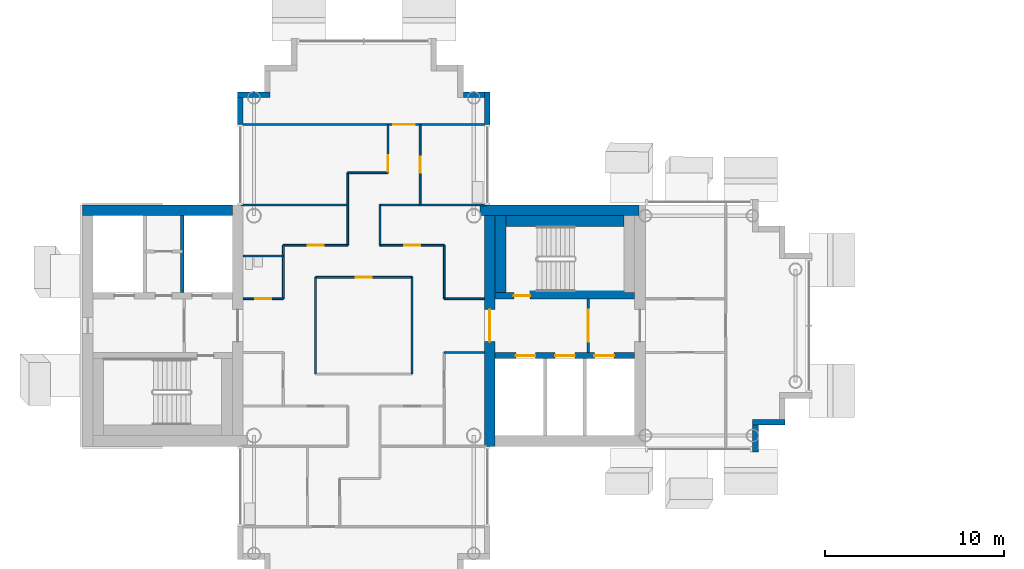
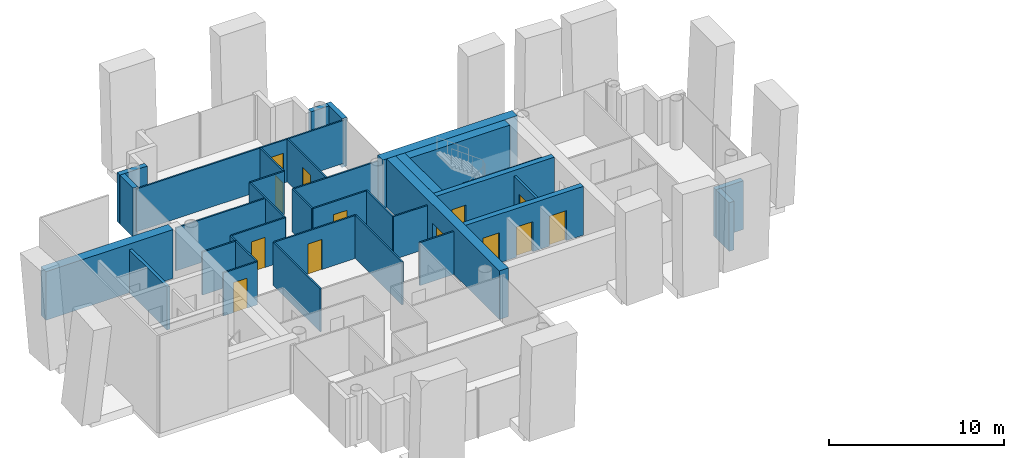
# One storey, part 7 of 18: 35 walls, 13 doors, 13 openings.
"""IFC4 building model written with IfcOpenShell, lengths in metres."""

from ifc_helpers import new_model, si_unit, direction, frame, frame_2d, origin, place, context, subcontext, project, spatial, rectangle, extrude, material, layer, layer_set, type_object, element, fill, save


model = new_model("IFC4")

# Units and contexts
model_context = context("Model", 3, precision=1e-05, world=origin(), true_north=direction((0.0, 1.0)))
body_context = subcontext(model_context, "Body", "Model", "MODEL_VIEW")
ifc_project = project(units=[si_unit("LENGTHUNIT", "METRE"), si_unit("AREAUNIT", "SQUARE_METRE"), si_unit("VOLUMEUNIT", "CUBIC_METRE"), si_unit("PLANEANGLEUNIT", "RADIAN"), si_unit("MASSUNIT", "GRAM", prefix="KILO")], contexts=[model_context])

# Site, building, storey
site_placement = place(None, origin())
site = spatial("IfcSite", under=ifc_project, at=site_placement, CompositionType="ELEMENT")
building_placement = place(site_placement, origin())
building = spatial("IfcBuilding", under=site, at=building_placement, Name="Ipe Terrace Towers", CompositionType="ELEMENT")
storey_placement = place(building_placement, frame((0.0, 0.0, 223.199951171875)))
storey = spatial("IfcBuildingStorey", under=building, at=storey_placement, Name="L62", CompositionType="ELEMENT", Elevation=223.199951171875)

# Walls
ifc_material_1 = material(Name="Concrete C40/50 with buff precast cladding", Category="concrete")
ifc_layer_1 = layer(ifc_material_1, 0.320068359375)
ifc_layer_set_1 = layer_set([ifc_layer_1], Name="BUFF CLADDING WALL 320")
wall_type_1 = type_object("IfcWallType", Name="BUFF CLADDING WALL 320", PredefinedType="STANDARD", material=ifc_layer_set_1)
wall_1_placement = place(storey_placement, frame((-14.090087890625, -7.070068359375, -0.300048828125), z_axis=(0.0, 0.0, 1.0), x_axis=(0.0, 1.0, 0.0)))
element("IfcWall", 1, at=wall_1_placement, inside=storey, type_object=wall_type_1, Name="T1-W-L62-17a wall", PredefinedType="STANDARD", context=body_context, shape_type="SweptSolid", body=[
    extrude(rectangle(XDim=1.5, YDim=0.320068359375, at=frame_2d((0.75, 0.0))), origin(), (0.0, 0.0, 1.0), 3.400146484375),
])
for number, where, z_axis, x_axis, name in (
    (2, (-14.25, -5.409912109375, -0.300048828125), (0.0, 0.0, 1.0), (1.0, 0.0, 0.0), "T1-W-L62-18a wall"),
    (3, (-29.090087890625, 11.25, -0.300048828125), (0.0, 0.0, 1.0), (0.0, 1.0, 0.0), "T1-W-L62-29a wall"),
):
    element("IfcWall", number, at=place(storey_placement, frame(where, z_axis=z_axis, x_axis=x_axis)), inside=storey, type_object=wall_type_1, Name=name, PredefinedType="STANDARD", context=body_context, shape_type="SweptSolid", body=[
        extrude(rectangle(XDim=1.820068359375, YDim=0.320068359375, at=frame_2d((0.91015625, 0.0))), origin(), (0.0, 0.0, 1.0), 3.400146484375),
    ])
wall_2_placement = place(storey_placement, frame((-29.25, 12.909912109375, -0.300048828125), z_axis=(0.0, 0.0, 1.0), x_axis=(-1.0, 0.0, 0.0)))
element("IfcWall", 4, at=wall_2_placement, inside=storey, type_object=wall_type_1, Name="T1-W-L62-30a wall", PredefinedType="STANDARD", context=body_context, shape_type="SweptSolid", body=[
    extrude(rectangle(XDim=1.179931640625, YDim=0.320068359375, at=frame_2d((0.58984375, 0.0))), origin(), (0.0, 0.0, 1.0), 3.400146484375),
])
wall_3_placement = place(storey_placement, frame((-41.25, 12.909912109375, -0.300048828125), z_axis=(0.0, 0.0, 1.0), x_axis=(-1.0, 0.0, 0.0)))
element("IfcWall", 5, at=wall_3_placement, inside=storey, type_object=wall_type_1, Name="T1-W-L62-38a wall", PredefinedType="STANDARD", context=body_context, shape_type="SweptSolid", body=[
    extrude(rectangle(XDim=1.820068359375, YDim=0.320068359375, at=frame_2d((0.91015625, 0.0))), origin(), (0.0, 0.0, 1.0), 3.400146484375),
])
wall_4_placement = place(storey_placement, frame((-42.909912109375, 12.75, -0.300048828125), z_axis=(0.0, 0.0, 1.0), x_axis=(0.0, -1.0, 0.0)))
element("IfcWall", 6, at=wall_4_placement, inside=storey, type_object=wall_type_1, Name="T1-W-L62-39a wall", PredefinedType="STANDARD", context=body_context, shape_type="SweptSolid", body=[
    extrude(rectangle(XDim=1.5, YDim=0.320068359375, at=frame_2d((0.75, 0.0))), origin(), (0.0, 0.0, 1.0), 3.400146484375),
])
ifc_material_2 = material(Name="Gypsum board partition", Category="plasterboard")
ifc_layer_2 = layer(ifc_material_2, 0.10009765625)
ifc_layer_set_2 = layer_set([ifc_layer_2], Name="Gypsum board partition 100 mm")
wall_type_2 = type_object("IfcWallType", Name="Gypsum board partition 100 mm", PredefinedType="PARTITIONING", material=ifc_layer_set_2)
wall_5_placement = place(storey_placement, frame((-40.5, 1.5, 0.0), z_axis=(0.0, 0.0, 1.0), x_axis=(0.0, 1.0, 0.0)))
element("IfcWall", 7, at=wall_5_placement, inside=storey, type_object=wall_type_2, Name="Gypsum board partition T1 L62 W02", PredefinedType="PARTITIONING", context=body_context, shape_type="SweptSolid", body=[
    extrude(rectangle(XDim=3.0, YDim=0.10009765625, at=frame_2d((1.5, 0.0))), origin(), (0.0, 0.0, 1.0), 3.0),
])
wall_6_placement = place(storey_placement, frame((-38.699951171875, -2.699951171875, 0.0), z_axis=(0.0, 0.0, 1.0), x_axis=(0.0, 1.0, 0.0)))
element("IfcWall", 8, at=wall_6_placement, inside=storey, type_object=wall_type_2, Name="Gypsum board partition T1 L62 W04", PredefinedType="PARTITIONING", context=body_context, shape_type="SweptSolid", body=[
    extrude(rectangle(XDim=5.39990234375, YDim=0.10009765625, at=frame_2d((2.699951171875, 0.0))), origin(), (0.0, 0.0, 1.0), 3.0),
])
wall_7_placement = place(storey_placement, frame((-36.89990234375, 4.5, 0.0), z_axis=(0.0, 0.0, 1.0), x_axis=(0.0, 1.0, 0.0)))
element("IfcWall", 9, at=wall_7_placement, inside=storey, type_object=wall_type_2, Name="Gypsum board partition T1 L62 W07", PredefinedType="PARTITIONING", context=body_context, shape_type="SweptSolid", body=[
    extrude(rectangle(XDim=4.050048828125, YDim=0.10009765625, at=frame_2d((2.02490234375, 0.0))), origin(), (0.0, 0.0, 1.0), 3.0),
])
wall_8_placement = place(storey_placement, frame((-35.10009765625, 4.5, 0.0), z_axis=(0.0, 0.0, 1.0), x_axis=(0.0, 1.0, 0.0)))
element("IfcWall", 10, at=wall_8_placement, inside=storey, type_object=wall_type_2, Name="Gypsum board partition T1 L62 W09", PredefinedType="PARTITIONING", context=body_context, shape_type="SweptSolid", body=[
    extrude(rectangle(XDim=2.25, YDim=0.10009765625, at=frame_2d((1.125, 0.0))), origin(), (0.0, 0.0, 1.0), 3.0),
])

# Wall, opening, door
wall_9_placement = place(storey_placement, frame((-34.64990234375, 8.550048828125, 0.0), z_axis=(0.0, 0.0, 1.0), x_axis=(0.0, 1.0, 0.0)))
wall_9 = element("IfcWall", 11, at=wall_9_placement, inside=storey, type_object=wall_type_2, Name="Gypsum board partition T1 L62 W10", PredefinedType="PARTITIONING", context=body_context, shape_type="SweptSolid", body=[
    extrude(rectangle(XDim=2.699951171875, YDim=0.10009765625, at=frame_2d((1.35009765625, 0.0))), origin(), (0.0, 0.0, 1.0), 3.0),
])
opening_1_placement = place(wall_9_placement, frame((0.070068359375, 0.0, 0.0)))
opening_1 = element("IfcOpeningElement", 12, at=opening_1_placement, cuts=wall_9, Name="Opening T1-Z4F-09", PredefinedType="OPENING", context=body_context, shape_type="SweptSolid", body=[
    extrude(rectangle(XDim=0.89990234375, YDim=2.10009765625, at=frame_2d((0.449951171875, 1.050048828125))), frame((0.0, 0.06005859375, 0.0), z_axis=(0.0, -1.0, 0.0), x_axis=(1.0, 0.0, 0.0)), (0.0, 0.0, 1.0), 0.1201171875),
])
ifc_material_3 = material(Name="Timber door leaf", Category="wood")
door_type_1 = type_object("IfcDoorType", Name="Lounge door 900 x 2100", OperationType="NOTDEFINED", PredefinedType="DOOR", material=ifc_material_3)
door_1_placement = place(opening_1_placement, origin())
door_1 = element("IfcDoor", 13, at=door_1_placement, inside=storey, type_object=door_type_1, Name="Lounge door T1-Z4F-09", OperationType="SINGLE_SWING_RIGHT", OverallHeight=2.10009765625, OverallWidth=0.89990234375, PredefinedType="DOOR", context=body_context, shape_type="SweptSolid", body=[
    extrude(rectangle(XDim=0.89990234375, YDim=2.10009765625, at=frame_2d((0.449951171875, 1.050048828125))), frame((0.0, 0.02490234375, 0.0), z_axis=(0.0, -1.0, 0.0), x_axis=(1.0, 0.0, 0.0)), (0.0, 0.0, 1.0), 0.050048828125),
])
fill(opening_1, door_1)

# Wall
wall_10_placement = place(storey_placement, frame((-33.300048828125, -2.699951171875, 0.0), z_axis=(0.0, 0.0, 1.0), x_axis=(0.0, 1.0, 0.0)))
element("IfcWall", 14, at=wall_10_placement, inside=storey, type_object=wall_type_2, Name="Gypsum board partition T1 L62 W11", PredefinedType="PARTITIONING", context=body_context, shape_type="SweptSolid", body=[
    extrude(rectangle(XDim=5.39990234375, YDim=0.10009765625, at=frame_2d((2.699951171875, 0.0))), origin(), (0.0, 0.0, 1.0), 3.0),
])

# Wall, opening, door
wall_11_placement = place(storey_placement, frame((-32.85009765625, 6.75, 0.0), z_axis=(0.0, 0.0, 1.0), x_axis=(0.0, 1.0, 0.0)))
wall_11 = element("IfcWall", 15, at=wall_11_placement, inside=storey, type_object=wall_type_2, Name="Gypsum board partition T1 L62 W12", PredefinedType="PARTITIONING", context=body_context, shape_type="SweptSolid", body=[
    extrude(rectangle(XDim=4.5, YDim=0.10009765625, at=frame_2d((2.25, 0.0))), origin(), (0.0, 0.0, 1.0), 3.0),
])
opening_2_placement = place(wall_11_placement, frame((1.800048828125, 0.0, 0.0)))
opening_2 = element("IfcOpeningElement", 16, at=opening_2_placement, cuts=wall_11, Name="Opening T1-Z4F-10", PredefinedType="OPENING", context=body_context, shape_type="SweptSolid", body=[
    extrude(rectangle(XDim=0.89990234375, YDim=2.10009765625, at=frame_2d((0.449951171875, 1.050048828125))), frame((0.0, 0.06005859375, 0.0), z_axis=(0.0, -1.0, 0.0), x_axis=(1.0, 0.0, 0.0)), (0.0, 0.0, 1.0), 0.1201171875),
])
door_2_placement = place(opening_2_placement, origin())
door_2 = element("IfcDoor", 17, at=door_2_placement, inside=storey, type_object=door_type_1, Name="Lounge door T1-Z4F-10", OperationType="SINGLE_SWING_RIGHT", OverallHeight=2.10009765625, OverallWidth=0.89990234375, PredefinedType="DOOR", context=body_context, shape_type="SweptSolid", body=[
    extrude(rectangle(XDim=0.89990234375, YDim=2.10009765625, at=frame_2d((0.449951171875, 1.050048828125))), frame((0.0, 0.02490234375, 0.0), z_axis=(0.0, -1.0, 0.0), x_axis=(1.0, 0.0, 0.0)), (0.0, 0.0, 1.0), 0.050048828125),
])
fill(opening_2, door_2)

# Walls
wall_12_placement = place(storey_placement, frame((-31.5, 1.5, 0.0), z_axis=(0.0, 0.0, 1.0), x_axis=(0.0, 1.0, 0.0)))
element("IfcWall", 18, at=wall_12_placement, inside=storey, type_object=wall_type_2, Name="Gypsum board partition T1 L62 W14", PredefinedType="PARTITIONING", context=body_context, shape_type="SweptSolid", body=[
    extrude(rectangle(XDim=3.0, YDim=0.10009765625, at=frame_2d((1.5, 0.0))), origin(), (0.0, 0.0, 1.0), 3.0),
])
wall_13_placement = place(storey_placement, frame((-31.5, -1.5, 0.0), z_axis=(0.0, 0.0, 1.0), x_axis=(1.0, 0.0, 0.0)))
element("IfcWall", 19, at=wall_13_placement, inside=storey, type_object=wall_type_2, Name="Gypsum board partition T1 L62 W24", PredefinedType="PARTITIONING", context=body_context, shape_type="SweptSolid", body=[
    extrude(rectangle(XDim=2.25, YDim=0.10009765625, at=frame_2d((1.125, 0.0))), origin(), (0.0, 0.0, 1.0), 3.0),
])

# Wall, opening, door
wall_14_placement = place(storey_placement, frame((-42.75, 1.5, 0.0), z_axis=(0.0, 0.0, 1.0), x_axis=(1.0, 0.0, 0.0)))
wall_14 = element("IfcWall", 20, at=wall_14_placement, inside=storey, type_object=wall_type_2, Name="Gypsum board partition T1 L62 W26", PredefinedType="PARTITIONING", context=body_context, shape_type="SweptSolid", body=[
    extrude(rectangle(XDim=2.25, YDim=0.10009765625, at=frame_2d((1.125, 0.0))), origin(), (0.0, 0.0, 1.0), 3.0),
])
opening_3_placement = place(wall_14_placement, frame((0.675048828125, 0.0, 0.0)))
opening_3 = element("IfcOpeningElement", 21, at=opening_3_placement, cuts=wall_14, Name="Opening T1-Z4F-02", PredefinedType="OPENING", context=body_context, shape_type="SweptSolid", body=[
    extrude(rectangle(XDim=0.89990234375, YDim=2.10009765625, at=frame_2d((0.449951171875, 1.050048828125))), frame((0.0, 0.06005859375, 0.0), z_axis=(0.0, -1.0, 0.0), x_axis=(1.0, 0.0, 0.0)), (0.0, 0.0, 1.0), 0.1201171875),
])
ifc_material_4 = material(Name="Timber door leaf", Category="wood")
door_type_2 = type_object("IfcDoorType", Name="Bathroom door 900 x 2100", OperationType="NOTDEFINED", PredefinedType="DOOR", material=ifc_material_4)
door_3_placement = place(opening_3_placement, origin())
door_3 = element("IfcDoor", 22, at=door_3_placement, inside=storey, type_object=door_type_2, Name="Bathroom door T1-Z4F-02", OperationType="SINGLE_SWING_LEFT", OverallHeight=2.10009765625, OverallWidth=0.89990234375, PredefinedType="DOOR", context=body_context, shape_type="SweptSolid", body=[
    extrude(rectangle(XDim=0.89990234375, YDim=2.10009765625, at=frame_2d((0.449951171875, 1.050048828125))), frame((0.0, 0.02490234375, 0.0), z_axis=(0.0, -1.0, 0.0), x_axis=(1.0, 0.0, 0.0)), (0.0, 0.0, 1.0), 0.050048828125),
])
fill(opening_3, door_3)

# Wall
wall_15_placement = place(storey_placement, frame((-31.5, 1.5, 0.0), z_axis=(0.0, 0.0, 1.0), x_axis=(1.0, 0.0, 0.0)))
element("IfcWall", 23, at=wall_15_placement, inside=storey, type_object=wall_type_2, Name="Gypsum board partition T1 L62 W27", PredefinedType="PARTITIONING", context=body_context, shape_type="SweptSolid", body=[
    extrude(rectangle(XDim=2.25, YDim=0.10009765625, at=frame_2d((1.125, 0.0))), origin(), (0.0, 0.0, 1.0), 3.0),
])

# Wall, opening, door
wall_16_placement = place(storey_placement, frame((-38.699951171875, 2.699951171875, 0.0), z_axis=(0.0, 0.0, 1.0), x_axis=(1.0, 0.0, 0.0)))
wall_16 = element("IfcWall", 24, at=wall_16_placement, inside=storey, type_object=wall_type_2, Name="Gypsum board partition T1 L62 W29", PredefinedType="PARTITIONING", context=body_context, shape_type="SweptSolid", body=[
    extrude(rectangle(XDim=5.39990234375, YDim=0.10009765625, at=frame_2d((2.699951171875, 0.0))), origin(), (0.0, 0.0, 1.0), 3.0),
])
opening_4_placement = place(wall_16_placement, frame((2.25, 0.0, 0.0)))
opening_4 = element("IfcOpeningElement", 25, at=opening_4_placement, cuts=wall_16, Name="Opening T1-Z4F-01", PredefinedType="OPENING", context=body_context, shape_type="SweptSolid", body=[
    extrude(rectangle(XDim=0.89990234375, YDim=2.10009765625, at=frame_2d((0.449951171875, 1.050048828125))), frame((0.0, 0.06005859375, 0.0), z_axis=(0.0, -1.0, 0.0), x_axis=(1.0, 0.0, 0.0)), (0.0, 0.0, 1.0), 0.1201171875),
])
door_4_placement = place(opening_4_placement, origin())
door_4 = element("IfcDoor", 26, at=door_4_placement, inside=storey, type_object=door_type_1, Name="Lounge door T1-Z4F-01", OperationType="SINGLE_SWING_RIGHT", OverallHeight=2.10009765625, OverallWidth=0.89990234375, PredefinedType="DOOR", context=body_context, shape_type="SweptSolid", body=[
    extrude(rectangle(XDim=0.89990234375, YDim=2.10009765625, at=frame_2d((0.449951171875, 1.050048828125))), frame((0.0, 0.02490234375, 0.0), z_axis=(0.0, -1.0, 0.0), x_axis=(1.0, 0.0, 0.0)), (0.0, 0.0, 1.0), 0.050048828125),
])
fill(opening_4, door_4)

# Wall
wall_17_placement = place(storey_placement, frame((-42.75, 3.89990234375, 0.0), z_axis=(0.0, 0.0, 1.0), x_axis=(1.0, 0.0, 0.0)))
element("IfcWall", 27, at=wall_17_placement, inside=storey, type_object=wall_type_2, Name="Gypsum board partition T1 L62 W30", PredefinedType="PARTITIONING", context=body_context, shape_type="SweptSolid", body=[
    extrude(rectangle(XDim=2.25, YDim=0.10009765625, at=frame_2d((1.125, 0.0))), origin(), (0.0, 0.0, 1.0), 3.0),
])

# Wall, opening, door
wall_18_placement = place(storey_placement, frame((-40.5, 4.5, 0.0), z_axis=(0.0, 0.0, 1.0), x_axis=(1.0, 0.0, 0.0)))
wall_18 = element("IfcWall", 28, at=wall_18_placement, inside=storey, type_object=wall_type_2, Name="Gypsum board partition T1 L62 W31", PredefinedType="PARTITIONING", context=body_context, shape_type="SweptSolid", body=[
    extrude(rectangle(XDim=3.60009765625, YDim=0.10009765625, at=frame_2d((1.800048828125, 0.0))), origin(), (0.0, 0.0, 1.0), 3.0),
])
opening_5_placement = place(wall_18_placement, frame((1.35009765625, 0.0, 0.0)))
opening_5 = element("IfcOpeningElement", 29, at=opening_5_placement, cuts=wall_18, Name="Opening T1-Z4F-04", PredefinedType="OPENING", context=body_context, shape_type="SweptSolid", body=[
    extrude(rectangle(XDim=0.89990234375, YDim=2.10009765625, at=frame_2d((0.449951171875, 1.050048828125))), frame((0.0, 0.06005859375, 0.0), z_axis=(0.0, -1.0, 0.0), x_axis=(1.0, 0.0, 0.0)), (0.0, 0.0, 1.0), 0.1201171875),
])
door_5_placement = place(opening_5_placement, origin())
door_5 = element("IfcDoor", 30, at=door_5_placement, inside=storey, type_object=door_type_1, Name="Lounge door T1-Z4F-04", OperationType="SINGLE_SWING_RIGHT", OverallHeight=2.10009765625, OverallWidth=0.89990234375, PredefinedType="DOOR", context=body_context, shape_type="SweptSolid", body=[
    extrude(rectangle(XDim=0.89990234375, YDim=2.10009765625, at=frame_2d((0.449951171875, 1.050048828125))), frame((0.0, 0.02490234375, 0.0), z_axis=(0.0, -1.0, 0.0), x_axis=(1.0, 0.0, 0.0)), (0.0, 0.0, 1.0), 0.050048828125),
])
fill(opening_5, door_5)

wall_19_placement = place(storey_placement, frame((-35.10009765625, 4.5, 0.0), z_axis=(0.0, 0.0, 1.0), x_axis=(1.0, 0.0, 0.0)))
wall_19 = element("IfcWall", 31, at=wall_19_placement, inside=storey, type_object=wall_type_2, Name="Gypsum board partition T1 L62 W32", PredefinedType="PARTITIONING", context=body_context, shape_type="SweptSolid", body=[
    extrude(rectangle(XDim=3.60009765625, YDim=0.10009765625, at=frame_2d((1.800048828125, 0.0))), origin(), (0.0, 0.0, 1.0), 3.0),
])
opening_6_placement = place(wall_19_placement, frame((1.35009765625, 0.0, 0.0)))
opening_6 = element("IfcOpeningElement", 32, at=opening_6_placement, cuts=wall_19, Name="Opening T1-Z4F-03", PredefinedType="OPENING", context=body_context, shape_type="SweptSolid", body=[
    extrude(rectangle(XDim=0.89990234375, YDim=2.10009765625, at=frame_2d((0.449951171875, 1.050048828125))), frame((0.0, 0.06005859375, 0.0), z_axis=(0.0, -1.0, 0.0), x_axis=(1.0, 0.0, 0.0)), (0.0, 0.0, 1.0), 0.1201171875),
])
door_6_placement = place(opening_6_placement, origin())
door_6 = element("IfcDoor", 33, at=door_6_placement, inside=storey, type_object=door_type_1, Name="Lounge door T1-Z4F-03", OperationType="SINGLE_SWING_RIGHT", OverallHeight=2.10009765625, OverallWidth=0.89990234375, PredefinedType="DOOR", context=body_context, shape_type="SweptSolid", body=[
    extrude(rectangle(XDim=0.89990234375, YDim=2.10009765625, at=frame_2d((0.449951171875, 1.050048828125))), frame((0.0, 0.02490234375, 0.0), z_axis=(0.0, -1.0, 0.0), x_axis=(1.0, 0.0, 0.0)), (0.0, 0.0, 1.0), 0.050048828125),
])
fill(opening_6, door_6)

# Walls
for number, where, z_axis, x_axis, name in (
    (34, (-42.85009765625, 6.75, 0.0), (0.0, 0.0, 1.0), (1.0, 0.0, 0.0), "Gypsum board partition T1 L62 W33"),
    (35, (-35.10009765625, 6.75, 0.0), (0.0, 0.0, 1.0), (1.0, 0.0, 0.0), "Gypsum board partition T1 L62 W34"),
):
    element("IfcWall", number, at=place(storey_placement, frame(where, z_axis=z_axis, x_axis=x_axis)), inside=storey, type_object=wall_type_2, Name=name, PredefinedType="PARTITIONING", context=body_context, shape_type="SweptSolid", body=[
        extrude(rectangle(XDim=5.9501953125, YDim=0.10009765625, at=frame_2d((2.97509765625, 0.0))), origin(), (0.0, 0.0, 1.0), 3.0),
    ])
wall_20_placement = place(storey_placement, frame((-36.89990234375, 8.550048828125, 0.0), z_axis=(0.0, 0.0, 1.0), x_axis=(1.0, 0.0, 0.0)))
element("IfcWall", 36, at=wall_20_placement, inside=storey, type_object=wall_type_2, Name="Gypsum board partition T1 L62 W35", PredefinedType="PARTITIONING", context=body_context, shape_type="SweptSolid", body=[
    extrude(rectangle(XDim=2.25, YDim=0.10009765625, at=frame_2d((1.125, 0.0))), origin(), (0.0, 0.0, 1.0), 3.0),
])

# Wall, opening, door
wall_21_placement = place(storey_placement, frame((-42.85009765625, 11.25, 0.0), z_axis=(0.0, 0.0, 1.0), x_axis=(1.0, 0.0, 0.0)))
wall_21 = element("IfcWall", 37, at=wall_21_placement, inside=storey, type_object=wall_type_2, Name="Gypsum board partition T1 L62 W36", PredefinedType="PARTITIONING", context=body_context, shape_type="SweptSolid", body=[
    extrude(rectangle(XDim=13.7001953125, YDim=0.10009765625, at=frame_2d((6.85009765625, 0.0))), origin(), (0.0, 0.0, 1.0), 3.0),
])
opening_7_placement = place(wall_21_placement, frame((8.5, 0.0, 0.0)))
opening_7 = element("IfcOpeningElement", 38, at=opening_7_placement, cuts=wall_21, Name="Opening T1-Z4F-11", PredefinedType="OPENING", context=body_context, shape_type="SweptSolid", body=[
    extrude(rectangle(XDim=1.199951171875, YDim=2.10009765625, at=frame_2d((0.60009765625, 1.050048828125))), frame((0.0, 0.06005859375, 0.0), z_axis=(0.0, -1.0, 0.0), x_axis=(1.0, 0.0, 0.0)), (0.0, 0.0, 1.0), 0.1201171875),
])
ifc_material_5 = material(Name="Timber door leaf", Category="wood")
door_type_3 = type_object("IfcDoorType", Name="Lounge door 1200 x 2100", OperationType="NOTDEFINED", PredefinedType="DOOR", material=ifc_material_5)
door_7_placement = place(opening_7_placement, origin())
door_7 = element("IfcDoor", 39, at=door_7_placement, inside=storey, type_object=door_type_3, Name="Lounge door T1-Z4F-11", OperationType="SINGLE_SWING_LEFT", OverallHeight=2.10009765625, OverallWidth=1.199951171875, PredefinedType="DOOR", context=body_context, shape_type="SweptSolid", body=[
    extrude(rectangle(XDim=1.199951171875, YDim=2.10009765625, at=frame_2d((0.60009765625, 1.050048828125))), frame((0.0, 0.02490234375, 0.0), z_axis=(0.0, -1.0, 0.0), x_axis=(1.0, 0.0, 0.0)), (0.0, 0.0, 1.0), 0.050048828125),
])
fill(opening_7, door_7)

ifc_material_6 = material(Name="Gypsum board partition", Category="plasterboard")
ifc_layer_3 = layer(ifc_material_6, 0.14990234375)
ifc_layer_set_3 = layer_set([ifc_layer_3], Name="Gypsum board partition 150 mm")
wall_type_3 = type_object("IfcWallType", Name="Gypsum board partition 150 mm", PredefinedType="PARTITIONING", material=ifc_layer_set_3)
wall_22_placement = place(storey_placement, frame((-23.449951171875, -1.5, 0.0), z_axis=(0.0, 0.0, 1.0), x_axis=(0.0, 1.0, 0.0)))
wall_22 = element("IfcWall", 40, at=wall_22_placement, inside=storey, type_object=wall_type_3, Name="Gypsum board partition T1 L62 t1c1-lobby-wall", PredefinedType="PARTITIONING", context=body_context, shape_type="SweptSolid", body=[
    extrude(rectangle(XDim=3.0, YDim=0.14990234375, at=frame_2d((1.5, 0.0))), origin(), (0.0, 0.0, 1.0), 3.0),
])
opening_8_placement = place(wall_22_placement, frame((0.60009765625, 0.0, 0.0)))
opening_8 = element("IfcOpeningElement", 41, at=opening_8_placement, cuts=wall_22, Name="Opening T1C1-VD", PredefinedType="OPENING", context=body_context, shape_type="SweptSolid", body=[
    extrude(rectangle(XDim=1.800048828125, YDim=2.10009765625, at=frame_2d((0.89990234375, 1.050048828125))), frame((0.0, 0.0849609375, 0.0), z_axis=(0.0, -1.0, 0.0), x_axis=(1.0, 0.0, 0.0)), (0.0, 0.0, 1.0), 0.169921875),
])
ifc_material_7 = material(Name="Fire-rated timber door leaf", Category="wood")
door_type_4 = type_object("IfcDoorType", Name="Lobby door 1800 x 2100 FD60", OperationType="NOTDEFINED", PredefinedType="DOOR", material=ifc_material_7)
door_8_placement = place(opening_8_placement, origin())
door_8 = element("IfcDoor", 42, at=door_8_placement, inside=storey, type_object=door_type_4, Name="Lobby door T1C1-VD", OperationType="SINGLE_SWING_LEFT", OverallHeight=2.10009765625, OverallWidth=1.800048828125, PredefinedType="DOOR", context=body_context, shape_type="SweptSolid", body=[
    extrude(rectangle(XDim=1.800048828125, YDim=2.10009765625, at=frame_2d((0.89990234375, 1.050048828125))), frame((0.0, 0.02490234375, 0.0), z_axis=(0.0, -1.0, 0.0), x_axis=(1.0, 0.0, 0.0)), (0.0, 0.0, 1.0), 0.050048828125),
])
fill(opening_8, door_8)

# Wall
ifc_material_8 = material(Name="Gypsum board party wall", Category="plasterboard")
ifc_layer_4 = layer(ifc_material_8, 0.199951171875)
ifc_layer_set_4 = layer_set([ifc_layer_4], Name="Gypsum board party wall 200 mm")
wall_type_4 = type_object("IfcWallType", Name="Gypsum board party wall 200 mm", PredefinedType="SOLIDWALL", material=ifc_layer_set_4)
wall_23_placement = place(storey_placement, frame((-46.14990234375, 6.14990234375, 0.0), z_axis=(0.0, 0.0, 1.0), x_axis=(0.0, -1.0, 0.0)))
element("IfcWall", 43, at=wall_23_placement, inside=storey, type_object=wall_type_4, Name="Gypsum board party wall T1 L62 t1c2-shaft-div1", PredefinedType="SOLIDWALL", context=body_context, shape_type="SweptSolid", body=[
    extrude(rectangle(XDim=4.2998046875, YDim=0.199951171875, at=frame_2d((2.14990234375, 0.0))), origin(), (0.0, 0.0, 1.0), 3.0),
])

# Wall, openings, doors
ifc_material_9 = material(Name="Concrete C40/50", Category="concrete")
ifc_layer_5 = layer(ifc_material_9, 0.35009765625)
ifc_layer_set_5 = layer_set([ifc_layer_5], Name="RW350 CORE SPINE WALL 350 C40-50")
wall_type_5 = type_object("IfcWallType", Name="RW350 CORE SPINE WALL 350 C40-50", PredefinedType="SHEAR", material=ifc_layer_set_5)
wall_24_placement = place(storey_placement, frame((-28.64990234375, -1.675048828125, 0.0), z_axis=(0.0, 0.0, 1.0), x_axis=(1.0, 0.0, 0.0)))
wall_24 = element("IfcWall", 44, at=wall_24_placement, inside=storey, type_object=wall_type_5, Name="Core spine wall T1-C1-Z4-SW1", PredefinedType="SHEAR", context=body_context, shape_type="SweptSolid", body=[
    extrude(rectangle(XDim=7.7998046875, YDim=0.35009765625, at=frame_2d((3.89990234375, 0.0))), origin(), (0.0, 0.0, 1.0), 3.400146484375),
])
opening_9_placement = place(wall_24_placement, frame((1.14990234375, 0.0, 0.0)))
opening_9 = element("IfcOpeningElement", 45, at=opening_9_placement, cuts=wall_24, Name="Opening T1C1-LD1", PredefinedType="OPENING", context=body_context, shape_type="SweptSolid", body=[
    extrude(rectangle(XDim=1.10009765625, YDim=2.10009765625, at=frame_2d((0.550048828125, 1.050048828125))), frame((0.0, 0.18505859375, 0.0), z_axis=(0.0, -1.0, 0.0), x_axis=(1.0, 0.0, 0.0)), (0.0, 0.0, 1.0), 0.3701171875),
])
opening_10_placement = place(wall_24_placement, frame((3.35009765625, 0.0, 0.0)))
opening_10 = element("IfcOpeningElement", 46, at=opening_10_placement, cuts=wall_24, Name="Opening T1C1-LD2", PredefinedType="OPENING", context=body_context, shape_type="SweptSolid", body=[
    extrude(rectangle(XDim=1.10009765625, YDim=2.10009765625, at=frame_2d((0.550048828125, 1.050048828125))), frame((0.0, 0.18505859375, 0.0), z_axis=(0.0, -1.0, 0.0), x_axis=(1.0, 0.0, 0.0)), (0.0, 0.0, 1.0), 0.3701171875),
])
opening_11_placement = place(wall_24_placement, frame((5.550048828125, 0.0, 0.0)))
opening_11 = element("IfcOpeningElement", 47, at=opening_11_placement, cuts=wall_24, Name="Opening T1C1-LD3", PredefinedType="OPENING", context=body_context, shape_type="SweptSolid", body=[
    extrude(rectangle(XDim=1.10009765625, YDim=2.10009765625, at=frame_2d((0.550048828125, 1.050048828125))), frame((0.0, 0.18505859375, 0.0), z_axis=(0.0, -1.0, 0.0), x_axis=(1.0, 0.0, 0.0)), (0.0, 0.0, 1.0), 0.3701171875),
])
ifc_material_10 = material(Name="Fire-rated timber door leaf", Category="wood")
door_type_5 = type_object("IfcDoorType", Name="Sliding door 1100 x 2100 FD60", OperationType="SLIDING_TO_LEFT", PredefinedType="DOOR", material=ifc_material_10)
door_9_placement = place(opening_9_placement, origin())
door_9 = element("IfcDoor", 48, at=door_9_placement, inside=storey, type_object=door_type_5, Name="Sliding door T1C1-LD1", OperationType="SLIDING_TO_LEFT", OverallHeight=2.10009765625, OverallWidth=1.10009765625, PredefinedType="DOOR", context=body_context, shape_type="SweptSolid", body=[
    extrude(rectangle(XDim=1.10009765625, YDim=2.10009765625, at=frame_2d((0.550048828125, 1.050048828125))), frame((0.0, 0.02490234375, 0.0), z_axis=(0.0, -1.0, 0.0), x_axis=(1.0, 0.0, 0.0)), (0.0, 0.0, 1.0), 0.050048828125),
])
fill(opening_9, door_9)
door_10_placement = place(opening_10_placement, origin())
door_10 = element("IfcDoor", 49, at=door_10_placement, inside=storey, type_object=door_type_5, Name="Sliding door T1C1-LD2", OperationType="SLIDING_TO_LEFT", OverallHeight=2.10009765625, OverallWidth=1.10009765625, PredefinedType="DOOR", context=body_context, shape_type="SweptSolid", body=[
    extrude(rectangle(XDim=1.10009765625, YDim=2.10009765625, at=frame_2d((0.550048828125, 1.050048828125))), frame((0.0, 0.02490234375, 0.0), z_axis=(0.0, -1.0, 0.0), x_axis=(1.0, 0.0, 0.0)), (0.0, 0.0, 1.0), 0.050048828125),
])
fill(opening_10, door_10)
door_11_placement = place(opening_11_placement, origin())
door_11 = element("IfcDoor", 50, at=door_11_placement, inside=storey, type_object=door_type_5, Name="Sliding door T1C1-LD3", OperationType="SLIDING_TO_LEFT", OverallHeight=2.10009765625, OverallWidth=1.10009765625, PredefinedType="DOOR", context=body_context, shape_type="SweptSolid", body=[
    extrude(rectangle(XDim=1.10009765625, YDim=2.10009765625, at=frame_2d((0.550048828125, 1.050048828125))), frame((0.0, 0.02490234375, 0.0), z_axis=(0.0, -1.0, 0.0), x_axis=(1.0, 0.0, 0.0)), (0.0, 0.0, 1.0), 0.050048828125),
])
fill(opening_11, door_11)

# Wall, opening, door
wall_25_placement = place(storey_placement, frame((-28.64990234375, 1.675048828125, 0.0), z_axis=(0.0, 0.0, 1.0), x_axis=(1.0, 0.0, 0.0)))
wall_25 = element("IfcWall", 51, at=wall_25_placement, inside=storey, type_object=wall_type_5, Name="Core spine wall T1-C1-Z4-SW2", PredefinedType="SHEAR", context=body_context, shape_type="SweptSolid", body=[
    extrude(rectangle(XDim=7.7998046875, YDim=0.35009765625, at=frame_2d((3.89990234375, 0.0))), origin(), (0.0, 0.0, 1.0), 3.400146484375),
])
opening_12_placement = place(wall_25_placement, frame((1.050048828125, 0.0, 0.0)))
opening_12 = element("IfcOpeningElement", 52, at=opening_12_placement, cuts=wall_25, Name="Opening T1C1-SD", PredefinedType="OPENING", context=body_context, shape_type="SweptSolid", body=[
    extrude(rectangle(XDim=0.89990234375, YDim=2.10009765625, at=frame_2d((0.449951171875, 1.050048828125))), frame((0.0, 0.18505859375, 0.0), z_axis=(0.0, -1.0, 0.0), x_axis=(1.0, 0.0, 0.0)), (0.0, 0.0, 1.0), 0.3701171875),
])
ifc_material_11 = material(Name="Fire-rated timber door leaf", Category="wood")
door_type_6 = type_object("IfcDoorType", Name="Stair door 900 x 2100 FD60", OperationType="NOTDEFINED", PredefinedType="DOOR", material=ifc_material_11)
door_12_placement = place(opening_12_placement, origin())
door_12 = element("IfcDoor", 53, at=door_12_placement, inside=storey, type_object=door_type_6, Name="Stair door T1C1-SD", OperationType="SINGLE_SWING_LEFT", OverallHeight=2.10009765625, OverallWidth=0.89990234375, PredefinedType="DOOR", context=body_context, shape_type="SweptSolid", body=[
    extrude(rectangle(XDim=0.89990234375, YDim=2.10009765625, at=frame_2d((0.449951171875, 1.050048828125))), frame((0.0, 0.02490234375, 0.0), z_axis=(0.0, -1.0, 0.0), x_axis=(1.0, 0.0, 0.0)), (0.0, 0.0, 1.0), 0.050048828125),
])
fill(opening_12, door_12)

# Walls
ifc_material_12 = material(Name="Concrete C40/50", Category="concrete")
ifc_layer_6 = layer(ifc_material_12, 0.050048828125)
ifc_layer_set_6 = layer_set([ifc_layer_6], Name="RW50 CORE INFILL WALL 50 C40-50")
wall_type_6 = type_object("IfcWallType", Name="RW50 CORE INFILL WALL 50 C40-50", PredefinedType="SHEAR", material=ifc_layer_set_6)
wall_26_placement = place(storey_placement, frame((-26.64990234375, 1.875, 0.0), z_axis=(0.0, 0.0, 1.0), x_axis=(1.0, 0.0, 0.0)))
element("IfcWall", 54, at=wall_26_placement, inside=storey, type_object=wall_type_6, Name="Core infill wall T1-C1-spine-b", PredefinedType="SHEAR", context=body_context, shape_type="SweptSolid", body=[
    extrude(rectangle(XDim=5.199951171875, YDim=0.050048828125, at=frame_2d((2.60009765625, 0.0))), origin(), (0.0, 0.0, 1.0), 3.400146484375),
])
ifc_material_13 = material(Name="Concrete C40/50", Category="concrete")
ifc_layer_7 = layer(ifc_material_13, 0.60009765625)
ifc_layer_set_7 = layer_set([ifc_layer_7], Name="RW600 CORE INFILL WALL 600 C40-50")
wall_type_7 = type_object("IfcWallType", Name="RW600 CORE INFILL WALL 600 C40-50", PredefinedType="SHEAR", material=ifc_layer_set_7)
wall_27_placement = place(storey_placement, frame((-28.050048828125, 5.85009765625, 0.0), z_axis=(0.0, 0.0, 1.0), x_axis=(1.0, 0.0, 0.0)))
element("IfcWall", 55, at=wall_27_placement, inside=storey, type_object=wall_type_7, Name="Core infill wall T1-C1-back", PredefinedType="SHEAR", context=body_context, shape_type="SweptSolid", body=[
    extrude(rectangle(XDim=6.60009765625, YDim=0.60009765625, at=frame_2d((3.300048828125, 0.0))), origin(), (0.0, 0.0, 1.0), 3.400146484375),
])
wall_28_placement = place(storey_placement, frame((-28.35009765625, 1.85009765625, 0.0), z_axis=(0.0, 0.0, 1.0), x_axis=(0.0, 1.0, 0.0)))
element("IfcWall", 56, at=wall_28_placement, inside=storey, type_object=wall_type_7, Name="Core infill wall T1-C1-near", PredefinedType="SHEAR", context=body_context, shape_type="SweptSolid", body=[
    extrude(rectangle(XDim=4.2998046875, YDim=0.60009765625, at=frame_2d((2.14990234375, 0.0))), origin(), (0.0, 0.0, 1.0), 3.400146484375),
])
ifc_material_14 = material(Name="Concrete C40/50", Category="concrete")
ifc_layer_8 = layer(ifc_material_14, 0.60009765625)
ifc_layer_set_8 = layer_set([ifc_layer_8], Name="RW600 CORE WALL 600 C40-50")
wall_type_8 = type_object("IfcWallType", Name="RW600 CORE WALL 600 C40-50", PredefinedType="SHEAR", material=ifc_layer_set_8)
wall_29_placement = place(storey_placement, frame((-20.60205078125, 6.449951171875, 0.0), z_axis=(0.0, 0.0, 1.0), x_axis=(-1.0, 0.0, 0.0)))
element("IfcWall", 57, at=wall_29_placement, inside=storey, type_object=wall_type_8, Name="Core wall T1-C1-Z4-W03", PredefinedType="SHEAR", context=body_context, shape_type="SweptSolid", body=[
    extrude(rectangle(XDim=8.89599609375, YDim=0.60009765625, at=frame_2d((4.447998046875, 0.0))), origin(), (0.0, 0.0, 1.0), 3.400146484375),
])

# Wall, opening, door
wall_30_placement = place(storey_placement, frame((-28.949951171875, 6.14990234375, 0.0), z_axis=(0.0, 0.0, 1.0), x_axis=(0.0, -1.0, 0.0)))
wall_30 = element("IfcWall", 58, at=wall_30_placement, inside=storey, type_object=wall_type_8, Name="Core wall T1-C1-Z4-W04", PredefinedType="SHEAR", context=body_context, shape_type="SweptSolid", body=[
    extrude(rectangle(XDim=12.89990234375, YDim=0.60009765625, at=frame_2d((6.449951171875, 0.0))), origin(), (0.0, 0.0, 1.0), 3.400146484375),
])
opening_13_placement = place(wall_30_placement, frame((5.25, 0.0, 0.0)))
opening_13 = element("IfcOpeningElement", 59, at=opening_13_placement, cuts=wall_30, Name="Opening T1C1-ND", PredefinedType="OPENING", context=body_context, shape_type="SweptSolid", body=[
    extrude(rectangle(XDim=1.800048828125, YDim=2.10009765625, at=frame_2d((0.89990234375, 1.050048828125))), frame((0.0, 0.31005859375, 0.0), z_axis=(0.0, -1.0, 0.0), x_axis=(1.0, 0.0, 0.0)), (0.0, 0.0, 1.0), 0.6201171875),
])
ifc_material_15 = material(Name="Fire-rated timber door leaf", Category="wood")
door_type_7 = type_object("IfcDoorType", Name="Fire door 1800 x 2100 FD30S", OperationType="NOTDEFINED", PredefinedType="DOOR", material=ifc_material_15)
door_13_placement = place(opening_13_placement, origin())
door_13 = element("IfcDoor", 60, at=door_13_placement, inside=storey, type_object=door_type_7, Name="Fire door T1C1-ND", OperationType="SINGLE_SWING_LEFT", OverallHeight=2.10009765625, OverallWidth=1.800048828125, PredefinedType="DOOR", context=body_context, shape_type="SweptSolid", body=[
    extrude(rectangle(XDim=1.800048828125, YDim=2.10009765625, at=frame_2d((0.89990234375, 1.050048828125))), frame((0.0, 0.02490234375, 0.0), z_axis=(0.0, -1.0, 0.0), x_axis=(1.0, 0.0, 0.0)), (0.0, 0.0, 1.0), 0.050048828125),
])
fill(opening_13, door_13)

# Wall
wall_31_placement = place(storey_placement, frame((-43.35009765625, 6.449951171875, 0.0), z_axis=(0.0, 0.0, 1.0), x_axis=(-1.0, 0.0, 0.0)))
element("IfcWall", 61, at=wall_31_placement, inside=storey, type_object=wall_type_8, Name="Core wall T1-C2-Z4-W03", PredefinedType="SHEAR", context=body_context, shape_type="SweptSolid", body=[
    extrude(rectangle(XDim=8.39990234375, YDim=0.60009765625, at=frame_2d((4.199951171875, 0.0))), origin(), (0.0, 0.0, 1.0), 3.400146484375),
])

save(model, "model.ifc")
